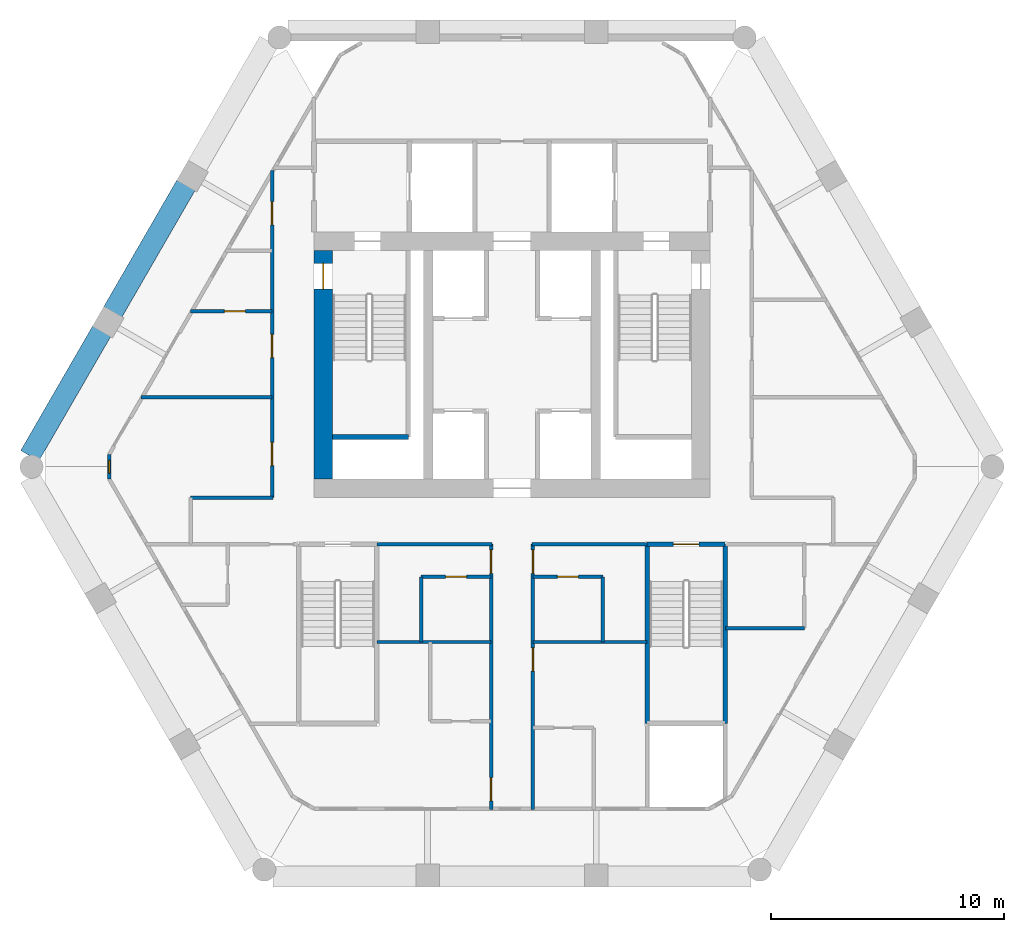
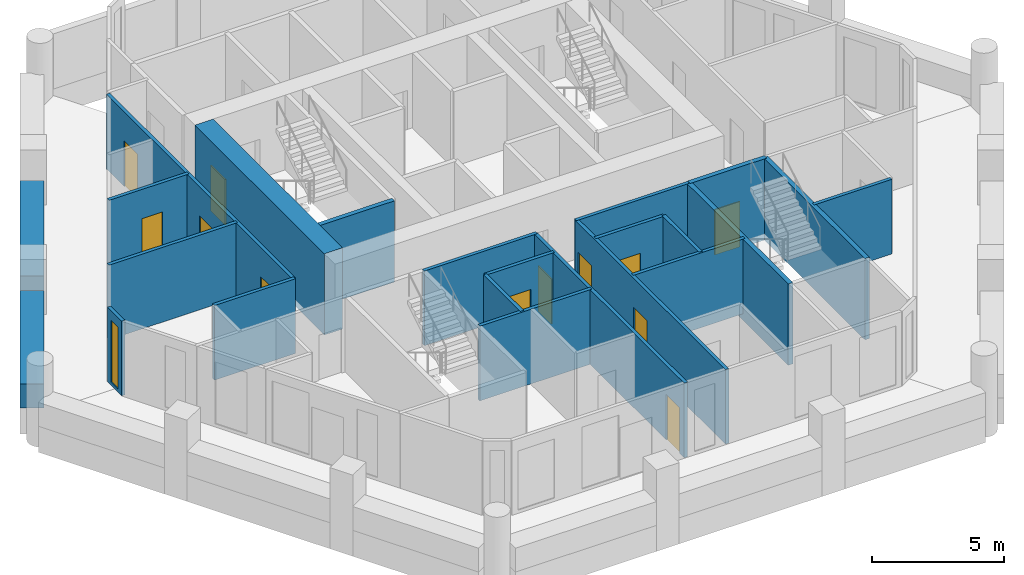
# One storey, part 3 of 7: 23 walls, 12 doors, 1 window, 13 openings.
"""IFC4 building model written with IfcOpenShell, lengths in metres."""

from ifc_helpers import new_model, si_unit, direction, frame, frame_2d, origin, place, context, subcontext, project, spatial, rectangle, extrude, material, layer, layer_set, type_object, element, fill, save


model = new_model("IFC4")

# Units and contexts
model_context = context("Model", 3, precision=1e-05, world=origin(), true_north=direction((0.0, 1.0)))
body_context = subcontext(model_context, "Body", "Model", "MODEL_VIEW")
ifc_project = project(units=[si_unit("LENGTHUNIT", "METRE"), si_unit("AREAUNIT", "SQUARE_METRE"), si_unit("VOLUMEUNIT", "CUBIC_METRE"), si_unit("PLANEANGLEUNIT", "RADIAN"), si_unit("MASSUNIT", "GRAM", prefix="KILO")], contexts=[model_context])

# Site, building, storey
site_placement = place(None, origin())
site = spatial("IfcSite", under=ifc_project, at=site_placement, CompositionType="ELEMENT")
building_placement = place(site_placement, origin())
building = spatial("IfcBuilding", under=site, at=building_placement, Name="Ostrander Bayou Hotel Tower", CompositionType="ELEMENT")
storey_placement = place(building_placement, frame((0.0, 0.0, 172.0)))
storey = spatial("IfcBuildingStorey", under=building, at=storey_placement, Name="L42", CompositionType="ELEMENT", Elevation=172.0)

# Wall, opening, door
ifc_material_1 = material(Name="Concrete f'c 60 MPa", Category="concrete")
ifc_layer_1 = layer(ifc_material_1, 0.800048828125)
ifc_layer_set_1 = layer_set([ifc_layer_1], Name="CW8 core spine wall 800 mm f'c 60 MPa")
wall_type_1 = type_object("IfcWallType", Name="CW8 core spine wall 800 mm f'c 60 MPa", PredefinedType="SHEAR", material=ifc_layer_set_1)
wall_1_placement = place(storey_placement, frame((-8.10009765625, -0.89990234375, -0.300048828125), z_axis=(0.0, 0.0, 1.0), x_axis=(0.0, 1.0, 0.0)))
wall_1 = element("IfcWall", 1, at=wall_1_placement, inside=storey, type_object=wall_type_1, Name="CW8 L42 W", PredefinedType="SHEAR", context=body_context, shape_type="SweptSolid", body=[
    extrude(rectangle(XDim=9.7998046875, YDim=0.800048828125, at=frame_2d((4.89990234375, 0.0))), origin(), (0.0, 0.0, 1.0), 3.75),
])
opening_1_placement = place(wall_1_placement, frame((8.14990234375, 0.0, 0.0)))
opening_1 = element("IfcOpeningElement", 2, at=opening_1_placement, cuts=wall_1, Name="Opening T41-008", PredefinedType="OPENING", context=body_context, shape_type="SweptSolid", body=[
    extrude(rectangle(XDim=1.10009765625, YDim=2.10009765625, at=frame_2d((0.550048828125, 1.050048828125))), frame((0.0, 0.39990234375, 0.0), z_axis=(0.0, -1.0, 0.0), x_axis=(1.0, 0.0, 0.0)), (0.0, 0.0, 1.0), 0.800048828125),
])
ifc_material_2 = material(Name="Timber door leaf", Category="wood")
door_type_1 = type_object("IfcDoorType", Name="D5 stair door 1100 x 2100 mm, 90 minute", OperationType="SINGLE_SWING_LEFT", PredefinedType="DOOR", material=ifc_material_2)
door_1_placement = place(opening_1_placement, origin())
door_1 = element("IfcDoor", 3, at=door_1_placement, inside=storey, type_object=door_type_1, Name="dr:L42:008", OperationType="SINGLE_SWING_RIGHT", OverallHeight=2.10009765625, OverallWidth=1.10009765625, PredefinedType="DOOR", context=body_context, shape_type="SweptSolid", body=[
    extrude(rectangle(XDim=1.10009765625, YDim=2.10009765625, at=frame_2d((0.550048828125, 1.050048828125))), frame((0.0, 0.02490234375, 0.0), z_axis=(0.0, -1.0, 0.0), x_axis=(1.0, 0.0, 0.0)), (0.0, 0.0, 1.0), 0.050048828125),
])
fill(opening_1, door_1)

# Wall, opening, window
ifc_material_3 = material(Name="Aluminium framed insulated wall", Category="aluminium")
ifc_layer_2 = layer(ifc_material_3, 0.14990234375)
ifc_layer_set_2 = layer_set([ifc_layer_2], Name="GW1 glass-line wall 150 mm")
wall_type_2 = type_object("IfcWallType", Name="GW1 glass-line wall 150 mm", PredefinedType="SOLIDWALL", material=ifc_layer_set_2)
wall_2_placement = place(storey_placement, frame((-17.28662109375, 0.156005859375, 0.0), z_axis=(0.0, 0.0, 1.0), x_axis=(0.0, -1.0, 0.0)))
wall_2 = element("IfcWall", 4, at=wall_2_placement, inside=storey, type_object=wall_type_2, Name="GW1 L42 corner 2", PredefinedType="SOLIDWALL", context=body_context, shape_type="SweptSolid", body=[
    extrude(rectangle(XDim=1.06494140625, YDim=0.14990234375, at=frame_2d((0.532470703125, 0.0))), origin(), (0.0, 0.0, 1.0), 3.449951171875),
])
opening_2_placement = place(wall_2_placement, frame((0.257568359375, 0.0, 0.14990234375)))
opening_2 = element("IfcOpeningElement", 5, at=opening_2_placement, cuts=wall_2, Name="Opening W19", PredefinedType="OPENING", context=body_context, shape_type="SweptSolid", body=[
    extrude(rectangle(XDim=0.550048828125, YDim=2.85009765625, at=frame_2d((0.27490234375, 1.425048828125))), frame((0.0, 0.074951171875, 0.0), z_axis=(0.0, -1.0, 0.0), x_axis=(1.0, 0.0, 0.0)), (0.0, 0.0, 1.0), 0.14990234375),
])
ifc_material_4 = material(Name="Aluminium and clear glass", Category="aluminium")
window_type = type_object("IfcWindowType", Name="W19 corner window 550 mm", PartitioningType="SINGLE_PANEL", PredefinedType="WINDOW", material=ifc_material_4)
window_placement = place(opening_2_placement, origin())
window = element("IfcWindow", 6, at=window_placement, inside=storey, type_object=window_type, Name="W19 L42 corner 2", OverallHeight=2.85009765625, OverallWidth=0.550048828125, PartitioningType="SINGLE_PANEL", PredefinedType="WINDOW", context=body_context, shape_type="SweptSolid", body=[
    extrude(rectangle(XDim=0.550048828125, YDim=2.85009765625, at=frame_2d((0.27490234375, 1.425048828125))), frame((0.0, 0.030029296875, 0.0), z_axis=(0.0, -1.0, 0.0), x_axis=(1.0, 0.0, 0.0)), (0.0, 0.0, 1.0), 0.06005859375),
])
fill(opening_2, window)

# Walls
ifc_material_5 = material(Name="Concrete f'c 40 MPa", Category="concrete")
ifc_layer_3 = layer(ifc_material_5, 0.89990234375)
ifc_layer_set_3 = layer_set([ifc_layer_3], Name="PA1 stone-faced parapet 900 mm")
wall_type_3 = type_object("IfcWallType", Name="PA1 stone-faced parapet 900 mm", PredefinedType="PARAPET", material=ifc_layer_set_3)
wall_3_placement = place(storey_placement, frame((-13.99169921875, 11.713134765625, 0.0), z_axis=(0.0, 0.0, 1.0), x_axis=(-0.499984268907, -0.866034485945, 0.0)))
element("IfcWall", 7, at=wall_3_placement, inside=storey, type_object=wall_type_3, Name="PA1 L42 NW-2", PredefinedType="PARAPET", context=body_context, shape_type="SweptSolid", body=[
    extrude(rectangle(XDim=6.296142578125, YDim=0.89990234375, at=frame_2d((3.14794921875, 0.0))), origin(), (0.0, 0.0, 1.0), 1.10009765625),
])
wall_4_placement = place(storey_placement, frame((-17.609619140625, 5.4462890625, 0.0), z_axis=(0.0, 0.0, 1.0), x_axis=(-0.500000533151, -0.866025095969, 0.0)))
element("IfcWall", 8, at=wall_4_placement, inside=storey, type_object=wall_type_3, Name="PA1 L42 NW-3", PredefinedType="PARAPET", context=body_context, shape_type="SweptSolid", body=[
    extrude(rectangle(XDim=6.18115234375, YDim=0.89990234375, at=frame_2d((3.090576171875, 0.0))), origin(), (0.0, 0.0, 1.0), 1.10009765625),
])
ifc_material_6 = material(Name="Gypsum board partition", Category="finish")
ifc_layer_4 = layer(ifc_material_6, 0.14990234375)
ifc_layer_set_4 = layer_set([ifc_layer_4], Name="PT8 service band wall 150 mm, 1 hour")
wall_type_4 = type_object("IfcWallType", Name="PT8 service band wall 150 mm, 1 hour", PredefinedType="PARTITIONING", material=ifc_layer_set_4)
for number, where, z_axis, x_axis, name in (
    (9, (-5.7900390625, -7.89990234375, 0.0), (0.0, 0.0, 1.0), (1.0, 0.0, 0.0), "gw:L42:004"),
    (10, (0.89990234375, -7.89990234375, 0.0), (0.0, 0.0, 1.0), (1.0, 0.0, 0.0), "gw:L42:005"),
):
    element("IfcWall", number, at=place(storey_placement, frame(where, z_axis=z_axis, x_axis=x_axis)), inside=storey, type_object=wall_type_4, Name=name, PredefinedType="PARTITIONING", context=body_context, shape_type="SweptSolid", body=[
        extrude(rectangle(XDim=4.89013671875, YDim=0.14990234375, at=frame_2d((2.445068359375, 0.0))), origin(), (0.0, 0.0, 1.0), 3.449951171875),
    ])
wall_5_placement = place(storey_placement, frame((9.159912109375, -7.300048828125, 0.0), z_axis=(0.0, 0.0, 1.0), x_axis=(1.0, 0.0, 0.0)))
element("IfcWall", 11, at=wall_5_placement, inside=storey, type_object=wall_type_4, Name="gw:L42:006", PredefinedType="PARTITIONING", context=body_context, shape_type="SweptSolid", body=[
    extrude(rectangle(XDim=3.39013671875, YDim=0.14990234375, at=frame_2d((1.695068359375, 0.0))), origin(), (0.0, 0.0, 1.0), 3.449951171875),
])

# Wall, opening, door
wall_6_placement = place(storey_placement, frame((-3.89990234375, -5.10009765625, 0.0), z_axis=(0.0, 0.0, 1.0), x_axis=(1.0, 0.0, 0.0)))
wall_6 = element("IfcWall", 12, at=wall_6_placement, inside=storey, type_object=wall_type_4, Name="gw:L42:008", PredefinedType="PARTITIONING", context=body_context, shape_type="SweptSolid", body=[
    extrude(rectangle(XDim=3.0, YDim=0.14990234375, at=frame_2d((1.5, 0.0))), origin(), (0.0, 0.0, 1.0), 3.449951171875),
])
opening_3_placement = place(wall_6_placement, frame((1.050048828125, 0.0, 0.0)))
opening_3 = element("IfcOpeningElement", 13, at=opening_3_placement, cuts=wall_6, Name="Opening T41-403", PredefinedType="OPENING", context=body_context, shape_type="SweptSolid", body=[
    extrude(rectangle(XDim=0.89990234375, YDim=2.10009765625, at=frame_2d((0.449951171875, 1.050048828125))), frame((0.0, 0.074951171875, 0.0), z_axis=(0.0, -1.0, 0.0), x_axis=(1.0, 0.0, 0.0)), (0.0, 0.0, 1.0), 0.14990234375),
])
ifc_material_7 = material(Name="Timber door leaf", Category="wood")
door_type_2 = type_object("IfcDoorType", Name="D14 bathroom door 900 x 2100 mm", OperationType="SINGLE_SWING_LEFT", PredefinedType="DOOR", material=ifc_material_7)
door_2_placement = place(opening_3_placement, origin())
door_2 = element("IfcDoor", 14, at=door_2_placement, inside=storey, type_object=door_type_2, Name="dr:L42:403", OperationType="SINGLE_SWING_RIGHT", OverallHeight=2.10009765625, OverallWidth=0.89990234375, PredefinedType="DOOR", context=body_context, shape_type="SweptSolid", body=[
    extrude(rectangle(XDim=0.89990234375, YDim=2.10009765625, at=frame_2d((0.449951171875, 1.050048828125))), frame((0.0, 0.02490234375, 0.0), z_axis=(0.0, -1.0, 0.0), x_axis=(1.0, 0.0, 0.0)), (0.0, 0.0, 1.0), 0.050048828125),
])
fill(opening_3, door_2)

wall_7_placement = place(storey_placement, frame((0.89990234375, -5.10009765625, 0.0), z_axis=(0.0, 0.0, 1.0), x_axis=(1.0, 0.0, 0.0)))
wall_7 = element("IfcWall", 15, at=wall_7_placement, inside=storey, type_object=wall_type_4, Name="gw:L42:009", PredefinedType="PARTITIONING", context=body_context, shape_type="SweptSolid", body=[
    extrude(rectangle(XDim=3.0, YDim=0.14990234375, at=frame_2d((1.5, 0.0))), origin(), (0.0, 0.0, 1.0), 3.449951171875),
])
opening_4_placement = place(wall_7_placement, frame((1.050048828125, 0.0, 0.0)))
opening_4 = element("IfcOpeningElement", 16, at=opening_4_placement, cuts=wall_7, Name="Opening T41-407", PredefinedType="OPENING", context=body_context, shape_type="SweptSolid", body=[
    extrude(rectangle(XDim=0.89990234375, YDim=2.10009765625, at=frame_2d((0.449951171875, 1.050048828125))), frame((0.0, 0.074951171875, 0.0), z_axis=(0.0, -1.0, 0.0), x_axis=(1.0, 0.0, 0.0)), (0.0, 0.0, 1.0), 0.14990234375),
])
door_3_placement = place(opening_4_placement, origin())
door_3 = element("IfcDoor", 17, at=door_3_placement, inside=storey, type_object=door_type_2, Name="dr:L42:407", OperationType="SINGLE_SWING_LEFT", OverallHeight=2.10009765625, OverallWidth=0.89990234375, PredefinedType="DOOR", context=body_context, shape_type="SweptSolid", body=[
    extrude(rectangle(XDim=0.89990234375, YDim=2.10009765625, at=frame_2d((0.449951171875, 1.050048828125))), frame((0.0, 0.02490234375, 0.0), z_axis=(0.0, -1.0, 0.0), x_axis=(1.0, 0.0, 0.0)), (0.0, 0.0, 1.0), 0.050048828125),
])
fill(opening_4, door_3)

# Walls
for number, where, z_axis, x_axis, name in (
    (18, (-5.7900390625, -3.699951171875, 0.0), (0.0, 0.0, 1.0), (1.0, 0.0, 0.0), "gw:L42:011"),
    (19, (0.860107421875, -3.699951171875, 0.0), (0.0, 0.0, 1.0), (1.0, 0.0, 0.0), "gw:L42:012"),
):
    element("IfcWall", number, at=place(storey_placement, frame(where, z_axis=z_axis, x_axis=x_axis)), inside=storey, type_object=wall_type_4, Name=name, PredefinedType="PARTITIONING", context=body_context, shape_type="SweptSolid", body=[
        extrude(rectangle(XDim=4.929931640625, YDim=0.14990234375, at=frame_2d((2.46484375, 0.0))), origin(), (0.0, 0.0, 1.0), 3.449951171875),
    ])
wall_8_placement = place(storey_placement, frame((-13.800048828125, -1.699951171875, 0.0), z_axis=(0.0, 0.0, 1.0), x_axis=(1.0, 0.0, 0.0)))
element("IfcWall", 20, at=wall_8_placement, inside=storey, type_object=wall_type_4, Name="gw:L42:014", PredefinedType="PARTITIONING", context=body_context, shape_type="SweptSolid", body=[
    extrude(rectangle(XDim=3.5400390625, YDim=0.14990234375, at=frame_2d((1.77001953125, 0.0))), origin(), (0.0, 0.0, 1.0), 3.449951171875),
])
wall_9_placement = place(storey_placement, frame((-15.927001953125, 2.60009765625, 0.0), z_axis=(0.0, 0.0, 1.0), x_axis=(1.0, 0.0, 0.0)))
element("IfcWall", 21, at=wall_9_placement, inside=storey, type_object=wall_type_4, Name="gw:L42:016", PredefinedType="PARTITIONING", context=body_context, shape_type="SweptSolid", body=[
    extrude(rectangle(XDim=5.626953125, YDim=0.14990234375, at=frame_2d((2.8134765625, 0.0))), origin(), (0.0, 0.0, 1.0), 3.449951171875),
])

# Wall, opening, door
wall_10_placement = place(storey_placement, frame((-13.791015625, 6.300048828125, 0.0), z_axis=(0.0, 0.0, 1.0), x_axis=(1.0, 0.0, 0.0)))
wall_10 = element("IfcWall", 22, at=wall_10_placement, inside=storey, type_object=wall_type_4, Name="gw:L42:018", PredefinedType="PARTITIONING", context=body_context, shape_type="SweptSolid", body=[
    extrude(rectangle(XDim=3.490966796875, YDim=0.14990234375, at=frame_2d((1.74560546875, 0.0))), origin(), (0.0, 0.0, 1.0), 3.449951171875),
])
opening_5_placement = place(wall_10_placement, frame((1.44091796875, 0.0, 0.0)))
opening_5 = element("IfcOpeningElement", 23, at=opening_5_placement, cuts=wall_10, Name="Opening T41-414", PredefinedType="OPENING", context=body_context, shape_type="SweptSolid", body=[
    extrude(rectangle(XDim=0.89990234375, YDim=2.10009765625, at=frame_2d((0.449951171875, 1.050048828125))), frame((0.0, 0.074951171875, 0.0), z_axis=(0.0, -1.0, 0.0), x_axis=(1.0, 0.0, 0.0)), (0.0, 0.0, 1.0), 0.14990234375),
])
ifc_material_8 = material(Name="Timber door leaf", Category="wood")
door_type_3 = type_object("IfcDoorType", Name="D8 room door 900 x 2100 mm", OperationType="SINGLE_SWING_LEFT", PredefinedType="DOOR", material=ifc_material_8)
door_4_placement = place(opening_5_placement, origin())
door_4 = element("IfcDoor", 24, at=door_4_placement, inside=storey, type_object=door_type_3, Name="dr:L42:414", OperationType="SINGLE_SWING_RIGHT", OverallHeight=2.10009765625, OverallWidth=0.89990234375, PredefinedType="DOOR", context=body_context, shape_type="SweptSolid", body=[
    extrude(rectangle(XDim=0.89990234375, YDim=2.10009765625, at=frame_2d((0.449951171875, 1.050048828125))), frame((0.0, 0.02490234375, 0.0), z_axis=(0.0, -1.0, 0.0), x_axis=(1.0, 0.0, 0.0)), (0.0, 0.0, 1.0), 0.050048828125),
])
fill(opening_5, door_4)

# Wall
wall_11_placement = place(storey_placement, frame((3.89990234375, -7.89990234375, 0.0), z_axis=(0.0, 0.0, 1.0), x_axis=(0.0, 1.0, 0.0)))
element("IfcWall", 25, at=wall_11_placement, inside=storey, type_object=wall_type_4, Name="gw:L42:029", PredefinedType="PARTITIONING", context=body_context, shape_type="SweptSolid", body=[
    extrude(rectangle(XDim=2.7998046875, YDim=0.14990234375, at=frame_2d((1.39990234375, 0.0))), origin(), (0.0, 0.0, 1.0), 3.449951171875),
])

# Wall, openings, doors
wall_12_placement = place(storey_placement, frame((0.89990234375, -15.093994140625, 0.0), z_axis=(0.0, 0.0, 1.0), x_axis=(0.0, 1.0, 0.0)))
wall_12 = element("IfcWall", 26, at=wall_12_placement, inside=storey, type_object=wall_type_4, Name="gw:L42:031", PredefinedType="PARTITIONING", context=body_context, shape_type="SweptSolid", body=[
    extrude(rectangle(XDim=11.39404296875, YDim=0.14990234375, at=frame_2d((5.697021484375, 0.0))), origin(), (0.0, 0.0, 1.0), 3.449951171875),
])
opening_6_placement = place(wall_12_placement, frame((10.14404296875, 0.0, 0.0)))
opening_6 = element("IfcOpeningElement", 27, at=opening_6_placement, cuts=wall_12, Name="Opening T41-406", PredefinedType="OPENING", context=body_context, shape_type="SweptSolid", body=[
    extrude(rectangle(XDim=1.0, YDim=2.10009765625, at=frame_2d((0.5, 1.050048828125))), frame((0.0, 0.074951171875, 0.0), z_axis=(0.0, -1.0, 0.0), x_axis=(1.0, 0.0, 0.0)), (0.0, 0.0, 1.0), 0.14990234375),
])
opening_7_placement = place(wall_12_placement, frame((5.944091796875, 0.0, 0.0)))
opening_7 = element("IfcOpeningElement", 28, at=opening_7_placement, cuts=wall_12, Name="Opening T41-408", PredefinedType="OPENING", context=body_context, shape_type="SweptSolid", body=[
    extrude(rectangle(XDim=1.0, YDim=2.10009765625, at=frame_2d((0.5, 1.050048828125))), frame((0.0, 0.074951171875, 0.0), z_axis=(0.0, -1.0, 0.0), x_axis=(1.0, 0.0, 0.0)), (0.0, 0.0, 1.0), 0.14990234375),
])
ifc_material_9 = material(Name="Timber door leaf", Category="wood")
door_type_4 = type_object("IfcDoorType", Name="D1 guest room door 1000 x 2100 mm, 30 minute", OperationType="SINGLE_SWING_LEFT", PredefinedType="DOOR", material=ifc_material_9)
door_5_placement = place(opening_6_placement, origin())
door_5 = element("IfcDoor", 29, at=door_5_placement, inside=storey, type_object=door_type_4, Name="dr:L42:406", OperationType="SINGLE_SWING_RIGHT", OverallHeight=2.10009765625, OverallWidth=1.0, PredefinedType="DOOR", context=body_context, shape_type="SweptSolid", body=[
    extrude(rectangle(XDim=1.0, YDim=2.10009765625, at=frame_2d((0.5, 1.050048828125))), frame((0.0, 0.02490234375, 0.0), z_axis=(0.0, -1.0, 0.0), x_axis=(1.0, 0.0, 0.0)), (0.0, 0.0, 1.0), 0.050048828125),
])
fill(opening_6, door_5)
door_6_placement = place(opening_7_placement, origin())
door_6 = element("IfcDoor", 30, at=door_6_placement, inside=storey, type_object=door_type_4, Name="dr:L42:408", OperationType="SINGLE_SWING_RIGHT", OverallHeight=2.10009765625, OverallWidth=1.0, PredefinedType="DOOR", context=body_context, shape_type="SweptSolid", body=[
    extrude(rectangle(XDim=1.0, YDim=2.10009765625, at=frame_2d((0.5, 1.050048828125))), frame((0.0, 0.02490234375, 0.0), z_axis=(0.0, -1.0, 0.0), x_axis=(1.0, 0.0, 0.0)), (0.0, 0.0, 1.0), 0.050048828125),
])
fill(opening_7, door_6)

wall_13_placement = place(storey_placement, frame((-0.89990234375, -15.093994140625, 0.0), z_axis=(0.0, 0.0, 1.0), x_axis=(0.0, 1.0, 0.0)))
wall_13 = element("IfcWall", 31, at=wall_13_placement, inside=storey, type_object=wall_type_4, Name="gw:L42:032", PredefinedType="PARTITIONING", context=body_context, shape_type="SweptSolid", body=[
    extrude(rectangle(XDim=11.39404296875, YDim=0.14990234375, at=frame_2d((5.697021484375, 0.0))), origin(), (0.0, 0.0, 1.0), 3.449951171875),
])
opening_8_placement = place(wall_13_placement, frame((10.14404296875, 0.0, 0.0)))
opening_8 = element("IfcOpeningElement", 32, at=opening_8_placement, cuts=wall_13, Name="Opening T41-402", PredefinedType="OPENING", context=body_context, shape_type="SweptSolid", body=[
    extrude(rectangle(XDim=1.0, YDim=2.10009765625, at=frame_2d((0.5, 1.050048828125))), frame((0.0, 0.074951171875, 0.0), z_axis=(0.0, -1.0, 0.0), x_axis=(1.0, 0.0, 0.0)), (0.0, 0.0, 1.0), 0.14990234375),
])
opening_9_placement = place(wall_13_placement, frame((0.368896484375, 0.0, 0.0)))
opening_9 = element("IfcOpeningElement", 33, at=opening_9_placement, cuts=wall_13, Name="Opening T41-404", PredefinedType="OPENING", context=body_context, shape_type="SweptSolid", body=[
    extrude(rectangle(XDim=1.0, YDim=2.10009765625, at=frame_2d((0.5, 1.050048828125))), frame((0.0, 0.074951171875, 0.0), z_axis=(0.0, -1.0, 0.0), x_axis=(1.0, 0.0, 0.0)), (0.0, 0.0, 1.0), 0.14990234375),
])
door_7_placement = place(opening_8_placement, origin())
door_7 = element("IfcDoor", 34, at=door_7_placement, inside=storey, type_object=door_type_4, Name="dr:L42:402", OperationType="SINGLE_SWING_RIGHT", OverallHeight=2.10009765625, OverallWidth=1.0, PredefinedType="DOOR", context=body_context, shape_type="SweptSolid", body=[
    extrude(rectangle(XDim=1.0, YDim=2.10009765625, at=frame_2d((0.5, 1.050048828125))), frame((0.0, 0.02490234375, 0.0), z_axis=(0.0, -1.0, 0.0), x_axis=(1.0, 0.0, 0.0)), (0.0, 0.0, 1.0), 0.050048828125),
])
fill(opening_8, door_7)
door_8_placement = place(opening_9_placement, origin())
door_8 = element("IfcDoor", 35, at=door_8_placement, inside=storey, type_object=door_type_4, Name="dr:L42:404", OperationType="SINGLE_SWING_LEFT", OverallHeight=2.10009765625, OverallWidth=1.0, PredefinedType="DOOR", context=body_context, shape_type="SweptSolid", body=[
    extrude(rectangle(XDim=1.0, YDim=2.10009765625, at=frame_2d((0.5, 1.050048828125))), frame((0.0, 0.02490234375, 0.0), z_axis=(0.0, -1.0, 0.0), x_axis=(1.0, 0.0, 0.0)), (0.0, 0.0, 1.0), 0.050048828125),
])
fill(opening_9, door_8)

# Wall
wall_14_placement = place(storey_placement, frame((-3.89990234375, -7.89990234375, 0.0), z_axis=(0.0, 0.0, 1.0), x_axis=(0.0, 1.0, 0.0)))
element("IfcWall", 36, at=wall_14_placement, inside=storey, type_object=wall_type_4, Name="gw:L42:034", PredefinedType="PARTITIONING", context=body_context, shape_type="SweptSolid", body=[
    extrude(rectangle(XDim=2.7998046875, YDim=0.14990234375, at=frame_2d((1.39990234375, 0.0))), origin(), (0.0, 0.0, 1.0), 3.449951171875),
])

# Wall, openings, doors
wall_15_placement = place(storey_placement, frame((-10.300048828125, -1.699951171875, 0.0), z_axis=(0.0, 0.0, 1.0), x_axis=(0.0, 1.0, 0.0)))
wall_15 = element("IfcWall", 37, at=wall_15_placement, inside=storey, type_object=wall_type_4, Name="gw:L42:036", PredefinedType="PARTITIONING", context=body_context, shape_type="SweptSolid", body=[
    extrude(rectangle(XDim=14.046875, YDim=0.14990234375, at=frame_2d((7.0234375, 0.0))), origin(), (0.0, 0.0, 1.0), 3.449951171875),
])
opening_10_placement = place(wall_15_placement, frame((1.3740234375, 0.0, 0.0)))
opening_10 = element("IfcOpeningElement", 38, at=opening_10_placement, cuts=wall_15, Name="Opening T41-412", PredefinedType="OPENING", context=body_context, shape_type="SweptSolid", body=[
    extrude(rectangle(XDim=1.0, YDim=2.10009765625, at=frame_2d((0.5, 1.050048828125))), frame((0.0, 0.074951171875, 0.0), z_axis=(0.0, -1.0, 0.0), x_axis=(1.0, 0.0, 0.0)), (0.0, 0.0, 1.0), 0.14990234375),
])
opening_11_placement = place(wall_15_placement, frame((6.0048828125, 0.0, 0.0)))
opening_11 = element("IfcOpeningElement", 39, at=opening_11_placement, cuts=wall_15, Name="Opening T41-413", PredefinedType="OPENING", context=body_context, shape_type="SweptSolid", body=[
    extrude(rectangle(XDim=1.0, YDim=2.10009765625, at=frame_2d((0.5, 1.050048828125))), frame((0.0, 0.074951171875, 0.0), z_axis=(0.0, -1.0, 0.0), x_axis=(1.0, 0.0, 0.0)), (0.0, 0.0, 1.0), 0.14990234375),
])
opening_12_placement = place(wall_15_placement, frame((11.701904296875, 0.0, 0.0)))
opening_12 = element("IfcOpeningElement", 40, at=opening_12_placement, cuts=wall_15, Name="Opening T41-415", PredefinedType="OPENING", context=body_context, shape_type="SweptSolid", body=[
    extrude(rectangle(XDim=1.0, YDim=2.10009765625, at=frame_2d((0.5, 1.050048828125))), frame((0.0, 0.074951171875, 0.0), z_axis=(0.0, -1.0, 0.0), x_axis=(1.0, 0.0, 0.0)), (0.0, 0.0, 1.0), 0.14990234375),
])
ifc_material_10 = material(Name="Timber door leaf", Category="wood")
door_type_5 = type_object("IfcDoorType", Name="D15 room door 1000 x 2100 mm", OperationType="SINGLE_SWING_LEFT", PredefinedType="DOOR", material=ifc_material_10)
door_9_placement = place(opening_10_placement, origin())
door_9 = element("IfcDoor", 41, at=door_9_placement, inside=storey, type_object=door_type_5, Name="dr:L42:412", OperationType="SINGLE_SWING_LEFT", OverallHeight=2.10009765625, OverallWidth=1.0, PredefinedType="DOOR", context=body_context, shape_type="SweptSolid", body=[
    extrude(rectangle(XDim=1.0, YDim=2.10009765625, at=frame_2d((0.5, 1.050048828125))), frame((0.0, 0.02490234375, 0.0), z_axis=(0.0, -1.0, 0.0), x_axis=(1.0, 0.0, 0.0)), (0.0, 0.0, 1.0), 0.050048828125),
])
fill(opening_10, door_9)
door_10_placement = place(opening_11_placement, origin())
door_10 = element("IfcDoor", 42, at=door_10_placement, inside=storey, type_object=door_type_5, Name="dr:L42:413", OperationType="SINGLE_SWING_LEFT", OverallHeight=2.10009765625, OverallWidth=1.0, PredefinedType="DOOR", context=body_context, shape_type="SweptSolid", body=[
    extrude(rectangle(XDim=1.0, YDim=2.10009765625, at=frame_2d((0.5, 1.050048828125))), frame((0.0, 0.02490234375, 0.0), z_axis=(0.0, -1.0, 0.0), x_axis=(1.0, 0.0, 0.0)), (0.0, 0.0, 1.0), 0.050048828125),
])
fill(opening_11, door_10)
ifc_material_11 = material(Name="Timber door leaf", Category="wood")
door_type_6 = type_object("IfcDoorType", Name="D9 service door 1000 x 2100 mm, 30 minute", OperationType="SINGLE_SWING_LEFT", PredefinedType="DOOR", material=ifc_material_11)
door_11_placement = place(opening_12_placement, origin())
door_11 = element("IfcDoor", 43, at=door_11_placement, inside=storey, type_object=door_type_6, Name="dr:L42:415", OperationType="SINGLE_SWING_LEFT", OverallHeight=2.10009765625, OverallWidth=1.0, PredefinedType="DOOR", context=body_context, shape_type="SweptSolid", body=[
    extrude(rectangle(XDim=1.0, YDim=2.10009765625, at=frame_2d((0.5, 1.050048828125))), frame((0.0, 0.02490234375, 0.0), z_axis=(0.0, -1.0, 0.0), x_axis=(1.0, 0.0, 0.0)), (0.0, 0.0, 1.0), 0.050048828125),
])
fill(opening_12, door_11)

# Wall
ifc_material_12 = material(Name="Concrete f'c 45 MPa", Category="concrete")
ifc_layer_5 = layer(ifc_material_12, 0.199951171875)
ifc_layer_set_5 = layer_set([ifc_layer_5], Name="SW5 stair enclosure wall 200 mm f'c 45 MPa")
wall_type_5 = type_object("IfcWallType", Name="SW5 stair enclosure wall 200 mm f'c 45 MPa", PredefinedType="SOLIDWALL", material=ifc_layer_set_5)
wall_16_placement = place(storey_placement, frame((-7.699951171875, 0.89990234375, -0.300048828125), z_axis=(0.0, 0.0, 1.0), x_axis=(1.0, 0.0, 0.0)))
element("IfcWall", 44, at=wall_16_placement, inside=storey, type_object=wall_type_5, Name="cs:L42:010", PredefinedType="SOLIDWALL", context=body_context, shape_type="SweptSolid", body=[
    extrude(rectangle(XDim=3.25, YDim=0.199951171875, at=frame_2d((1.625, 0.0))), origin(), (0.0, 0.0, 1.0), 3.75),
])

# Wall, opening, door
wall_17_placement = place(storey_placement, frame((5.800048828125, -3.699951171875, -0.300048828125), z_axis=(0.0, 0.0, 1.0), x_axis=(1.0, 0.0, 0.0)))
wall_17 = element("IfcWall", 45, at=wall_17_placement, inside=storey, type_object=wall_type_5, Name="cs:L42:013", PredefinedType="SOLIDWALL", context=body_context, shape_type="SweptSolid", body=[
    extrude(rectangle(XDim=3.349853515625, YDim=0.199951171875, at=frame_2d((1.6748046875, 0.0))), origin(), (0.0, 0.0, 1.0), 3.75),
])
opening_13_placement = place(wall_17_placement, frame((1.125, 0.0, 0.0)))
opening_13 = element("IfcOpeningElement", 46, at=opening_13_placement, cuts=wall_17, Name="Opening T41-011", PredefinedType="OPENING", context=body_context, shape_type="SweptSolid", body=[
    extrude(rectangle(XDim=1.10009765625, YDim=2.10009765625, at=frame_2d((0.550048828125, 1.050048828125))), frame((0.0, 0.10009765625, 0.0), z_axis=(0.0, -1.0, 0.0), x_axis=(1.0, 0.0, 0.0)), (0.0, 0.0, 1.0), 0.199951171875),
])
door_12_placement = place(opening_13_placement, origin())
door_12 = element("IfcDoor", 47, at=door_12_placement, inside=storey, type_object=door_type_1, Name="dr:L42:011", OperationType="SINGLE_SWING_LEFT", OverallHeight=2.10009765625, OverallWidth=1.10009765625, PredefinedType="DOOR", context=body_context, shape_type="SweptSolid", body=[
    extrude(rectangle(XDim=1.10009765625, YDim=2.10009765625, at=frame_2d((0.550048828125, 1.050048828125))), frame((0.0, 0.02490234375, 0.0), z_axis=(0.0, -1.0, 0.0), x_axis=(1.0, 0.0, 0.0)), (0.0, 0.0, 1.0), 0.050048828125),
])
fill(opening_13, door_12)

# Walls
for number, where, z_axis, x_axis, name in (
    (48, (5.800048828125, -3.699951171875, -0.300048828125), (0.0, 0.0, 1.0), (0.0, -1.0, 0.0), "cs:L42:014"),
    (49, (9.14990234375, -3.699951171875, -0.300048828125), (0.0, 0.0, 1.0), (0.0, -1.0, 0.0), "cs:L42:015"),
):
    element("IfcWall", number, at=place(storey_placement, frame(where, z_axis=z_axis, x_axis=x_axis)), inside=storey, type_object=wall_type_5, Name=name, PredefinedType="SOLIDWALL", context=body_context, shape_type="SweptSolid", body=[
        extrude(rectangle(XDim=7.699951171875, YDim=0.199951171875, at=frame_2d((3.85009765625, 0.0))), origin(), (0.0, 0.0, 1.0), 3.75),
    ])

save(model, "model.ifc")
